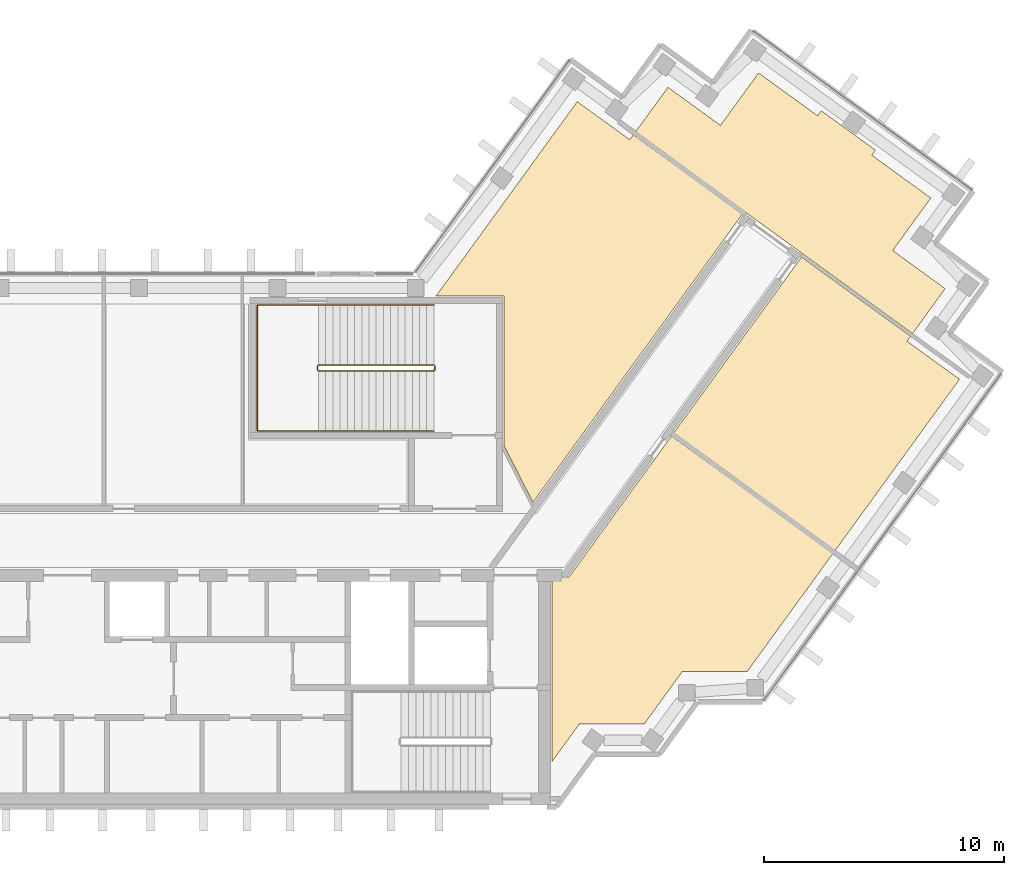
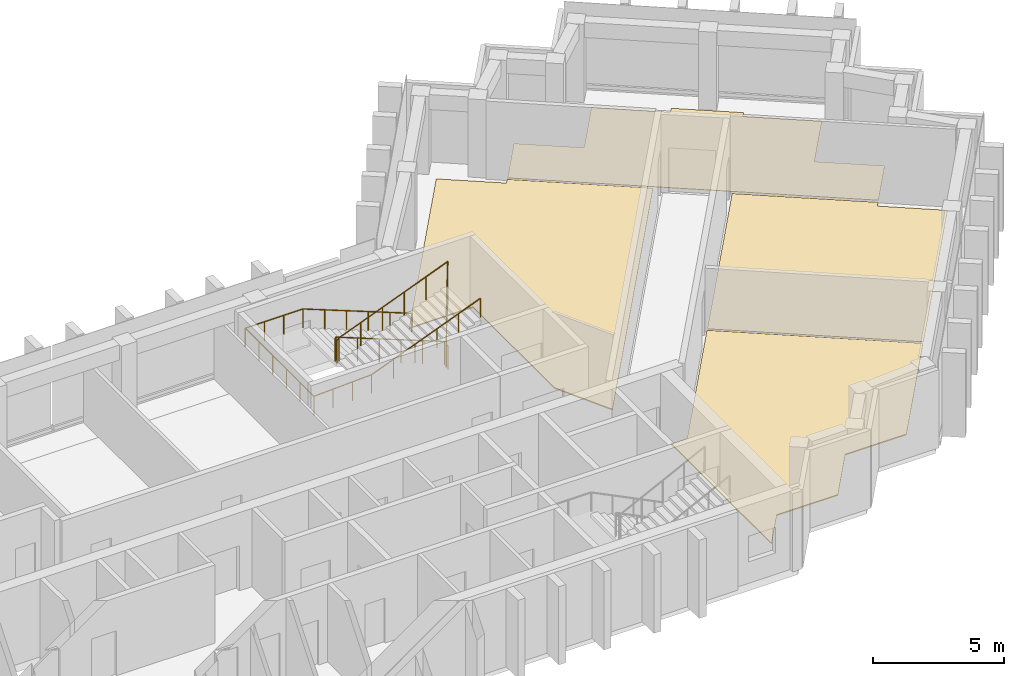
# One storey, part 9 of 9: 4 coverings, 2 railings.
"""IFC4 building model written with IfcOpenShell, lengths in metres."""

from ifc_helpers import new_model, si_unit, direction, frame, origin, origin_2d, place, context, subcontext, project, spatial, polyline, circle, outline, extrude, material, layer, layer_set, type_object, element, save


model = new_model("IFC4")

# Units and contexts
model_context = context("Model", 3, precision=1e-05, world=origin(), true_north=direction((0.0, 1.0)))
body_context = subcontext(model_context, "Body", "Model", "MODEL_VIEW")
ifc_project = project(units=[si_unit("LENGTHUNIT", "METRE"), si_unit("AREAUNIT", "SQUARE_METRE"), si_unit("VOLUMEUNIT", "CUBIC_METRE"), si_unit("PLANEANGLEUNIT", "RADIAN"), si_unit("MASSUNIT", "GRAM", prefix="KILO")], contexts=[model_context])

# Site, building, storey
site_placement = place(None, origin())
site = spatial("IfcSite", under=ifc_project, at=site_placement, CompositionType="ELEMENT")
building_placement = place(site_placement, origin())
building = spatial("IfcBuilding", under=site, at=building_placement, Name="Quipu Civic Tower", CompositionType="ELEMENT")
storey_placement = place(building_placement, frame((0.0, 0.0, 331.0)))
storey = spatial("IfcBuildingStorey", under=building, at=storey_placement, Name="L77", CompositionType="ELEMENT", Elevation=331.0)

# Coverings
ifc_material_1 = material(Name="Carpet tile on raised access floor")
ifc_layer_1 = layer(ifc_material_1, 0.02001953125)
ifc_layer_set_1 = layer_set([ifc_layer_1], Name="Carpet tile on raised access floor")
covering_type_1 = type_object("IfcCoveringType", Name="Carpet tile floor finish 20", PredefinedType="FLOORING", material=ifc_layer_set_1)
covering_1_placement = place(storey_placement, origin())
element("IfcCovering", 1, at=covering_1_placement, inside=storey, type_object=covering_type_1, Name="Carpet tile floor finish 20", PredefinedType="FLOORING", context=body_context, shape_type="SweptSolid", body=[
    extrude(outline(polyline([(23.531005859375, 16.989013671875), (24.888916015625, 18.85791015625), (27.073974609375, 17.27197265625), (28.658935546875, 19.455078125), (31.116943359375, 17.6708984375), (31.27099609375, 17.8798828125), (33.52197265625, 16.2451171875), (33.3701171875, 16.032958984375), (35.826904296875, 14.248046875), (34.240966796875, 12.06396484375), (36.425048828125, 10.47705078125), (35.068115234375, 8.60791015625), (23.531005859375, 16.989013671875)])), origin(), (0.0, 0.0, 1.0), 0.02001953125),
])
covering_2_placement = place(storey_placement, origin())
element("IfcCovering", 2, at=covering_2_placement, inside=storey, type_object=covering_type_1, Name="Carpet tile floor finish 20", PredefinedType="FLOORING", context=body_context, shape_type="SweptSolid", body=[
    extrude(outline(polyline([(25.117919921875, 4.4580078125), (30.446044921875, 11.7919921875), (34.985107421875, 8.493896484375), (34.839111328125, 8.291015625), (37.02197265625, 6.7060546875), (31.841064453125, -0.426025390625), (25.117919921875, 4.4580078125)])), origin(), (0.0, 0.0, 1.0), 0.02001953125),
])
ifc_material_2 = material(Name="Sealed cement screed")
ifc_layer_2 = layer(ifc_material_2, 0.050048828125)
ifc_layer_set_2 = layer_set([ifc_layer_2], Name="Sealed cement screed")
covering_type_2 = type_object("IfcCoveringType", Name="Sealed screed floor finish 50", PredefinedType="FLOORING", material=ifc_layer_set_2)
covering_3_placement = place(storey_placement, origin())
element("IfcCovering", 3, at=covering_3_placement, inside=storey, type_object=covering_type_2, Name="Sealed screed floor finish 50", PredefinedType="FLOORING", context=body_context, shape_type="SweptSolid", body=[
    extrude(outline(polyline([(15.238037109375, 10.169921875), (21.115966796875, 18.260986328125), (23.299072265625, 16.676025390625), (23.447998046875, 16.876953125), (27.987060546875, 13.5791015625), (19.27197265625, 1.583984375), (18.070068359375, 3.94189453125), (18.070068359375, 10.1689453125), (15.238037109375, 10.169921875)])), origin(), (0.0, 0.0, 1.0), 0.050048828125),
])
covering_4_placement = place(storey_placement, origin())
element("IfcCovering", 4, at=covering_4_placement, inside=storey, type_object=covering_type_2, Name="Sealed screed floor finish 50", PredefinedType="FLOORING", context=body_context, shape_type="SweptSolid", body=[
    extrude(outline(polyline([(20.070068359375, -9.195068359375), (20.070068359375, -1.52001953125), (20.77490234375, -1.51904296875), (25.034912109375, 4.344970703125), (31.758056640625, -0.5390625), (28.181884765625, -5.4609375), (25.48193359375, -5.4619140625), (23.89501953125, -7.64599609375), (21.196044921875, -7.64599609375), (20.070068359375, -9.195068359375)])), origin(), (0.0, 0.0, 1.0), 0.050048828125),
])

# Railings
ifc_material_3 = material(Name="Stainless steel", Category="steel")
railing_type_1 = type_object("IfcRailingType", Name="Stair guard 1100", PredefinedType="GUARDRAIL", material=ifc_material_3)
railing_1_placement = place(storey_placement, frame((15.14990234375, 7.300048828125, 0.11767578125)))
element("IfcRailing", 5, at=railing_1_placement, inside=storey, type_object=railing_type_1, Name="Stair 4 guard", PredefinedType="GUARDRAIL", context=body_context, shape_type="SweptSolid", body=[
    extrude(circle(Radius=0.02392578125, at=origin_2d()), frame((0.0, 0.0, 1.076171875), z_axis=(-0.930970042603, 0.0, 0.365095576219), x_axis=(0.0, -1.0, 0.0)), (0.0, 0.0, 1.0), 5.15576171875),
    extrude(circle(Radius=0.02392578125, at=origin_2d()), frame((-4.7998046875, 0.0, 2.95849609375), z_axis=(-0.707106781187, -0.707106781187, 0.0), x_axis=(0.707106781187, -0.707106781187, 0.0)), (0.0, 0.0, 1.0), 0.07080078125),
    extrude(circle(Radius=0.02392578125, at=origin_2d()), frame((-4.849853515625, -0.050048828125, 2.95849609375), z_axis=(0.0, -1.0, 0.0), x_axis=(1.0, 0.0, 0.0)), (0.0, 0.0, 1.0), 0.14990234375),
    extrude(circle(Radius=0.02392578125, at=origin_2d()), frame((-4.849853515625, -0.199951171875, 2.95849609375), z_axis=(0.364463019033, -0.364463019033, 0.856932561824), x_axis=(0.707106781187, 0.707106781187, 0.0)), (0.0, 0.0, 1.0), 0.13720703125),
    extrude(circle(Radius=0.02392578125, at=origin_2d()), frame((-4.7998046875, -0.25, 3.076171875), z_axis=(0.930970042603, 0.0, 0.365095576219), x_axis=(0.0, 1.0, 0.0)), (0.0, 0.0, 1.0), 5.15576171875),
    extrude(circle(Radius=0.02392578125, at=origin_2d()), frame((0.0, -0.25, 4.95849609375), z_axis=(0.012495627992, 0.049921557685, -0.998674970829), x_axis=(-0.970072785993, 0.242814311512, 0.0)), (0.0, 0.0, 1.0), 4.00537109375),
    extrude(circle(Radius=0.02392578125, at=origin_2d()), frame((0.050048828125, -0.050048828125, 0.95849609375), z_axis=(0.0, -1.0, 0.0), x_axis=(1.0, 0.0, 0.0)), (0.0, 0.0, 1.0), 0.14990234375),
    extrude(circle(Radius=0.02099609375, at=origin_2d()), origin(), (0.0, 0.0, 1.0), 1.052001953125),
    extrude(circle(Radius=0.02099609375, at=origin_2d()), frame((-0.9599609375, 0.0, 0.37646484375)), (0.0, 0.0, 1.0), 1.052001953125),
    extrude(circle(Radius=0.02099609375, at=origin_2d()), frame((-1.919921875, 0.0, 0.7529296875)), (0.0, 0.0, 1.0), 1.052001953125),
    extrude(circle(Radius=0.02099609375, at=origin_2d()), frame((-2.8798828125, 0.0, 1.12939453125)), (0.0, 0.0, 1.0), 1.052001953125),
    extrude(circle(Radius=0.02099609375, at=origin_2d()), frame((-3.83984375, 0.0, 1.505859375)), (0.0, 0.0, 1.0), 1.052001953125),
    extrude(circle(Radius=0.02099609375, at=origin_2d()), frame((-4.7998046875, 0.0, 1.88232421875)), (0.0, 0.0, 1.0), 1.052001953125),
    extrude(circle(Radius=0.02099609375, at=origin_2d()), frame((-4.849853515625, -0.050048828125, 1.88232421875)), (0.0, 0.0, 1.0), 1.052001953125),
    extrude(circle(Radius=0.02099609375, at=origin_2d()), frame((-4.849853515625, -0.199951171875, 1.88232421875)), (0.0, 0.0, 1.0), 1.052001953125),
    extrude(circle(Radius=0.02099609375, at=origin_2d()), frame((-4.7998046875, -0.25, 2.0)), (0.0, 0.0, 1.0), 1.052001953125),
    extrude(circle(Radius=0.02099609375, at=origin_2d()), frame((-3.83984375, -0.25, 2.37646484375)), (0.0, 0.0, 1.0), 1.052001953125),
    extrude(circle(Radius=0.02099609375, at=origin_2d()), frame((-2.8798828125, -0.25, 2.7529296875)), (0.0, 0.0, 1.0), 1.052001953125),
    extrude(circle(Radius=0.02099609375, at=origin_2d()), frame((-1.919921875, -0.25, 3.12939453125)), (0.0, 0.0, 1.0), 1.052001953125),
    extrude(circle(Radius=0.02099609375, at=origin_2d()), frame((-0.9599609375, -0.25, 3.505859375)), (0.0, 0.0, 1.0), 1.052001953125),
    extrude(circle(Radius=0.02099609375, at=origin_2d()), frame((0.0, -0.25, 3.88232421875)), (0.0, 0.0, 1.0), 1.052001953125),
    extrude(circle(Radius=0.02099609375, at=origin_2d()), frame((0.012451171875, -0.199951171875, 2.88232421875)), (0.0, 0.0, 1.0), 1.052001953125),
    extrude(circle(Radius=0.02099609375, at=origin_2d()), frame((0.02490234375, -0.14990234375, 1.88232421875)), (0.0, 0.0, 1.0), 1.052001953125),
    extrude(circle(Radius=0.02099609375, at=origin_2d()), frame((0.03759765625, -0.10009765625, 0.88232421875)), (0.0, 0.0, 1.0), 1.052001953125),
    extrude(circle(Radius=0.02099609375, at=origin_2d()), frame((0.050048828125, -0.050048828125, -0.11767578125)), (0.0, 0.0, 1.0), 1.052001953125),
    extrude(circle(Radius=0.02099609375, at=origin_2d()), frame((0.050048828125, -0.199951171875, -0.11767578125)), (0.0, 0.0, 1.0), 1.052001953125),
])
ifc_material_4 = material(Name="Stainless steel", Category="steel")
railing_type_2 = type_object("IfcRailingType", Name="Stair handrail", PredefinedType="HANDRAIL", material=ifc_material_4)
railing_2_placement = place(storey_placement, frame((15.14990234375, 9.800048828125, 0.11767578125)))
element("IfcRailing", 6, at=railing_2_placement, inside=storey, type_object=railing_type_2, Name="Stair 4 handrail", PredefinedType="HANDRAIL", context=body_context, shape_type="SweptSolid", body=[
    extrude(circle(Radius=0.02392578125, at=origin_2d()), frame((0.0, 0.0, 0.8759765625), z_axis=(-0.930970042603, 0.0, 0.365095576219), x_axis=(0.0, -1.0, 0.0)), (0.0, 0.0, 1.0), 5.15576171875),
    extrude(circle(Radius=0.02392578125, at=origin_2d()), frame((-4.7998046875, 0.0, 2.75830078125), z_axis=(-1.0, 0.0, 0.0), x_axis=(0.0, -1.0, 0.0)), (0.0, 0.0, 1.0), 2.550048828125),
    extrude(circle(Radius=0.02392578125, at=origin_2d()), frame((-7.349853515625, 0.0, 2.75830078125), z_axis=(0.0, -1.0, 0.0), x_axis=(1.0, 0.0, 0.0)), (0.0, 0.0, 1.0), 5.25),
    extrude(circle(Radius=0.02392578125, at=origin_2d()), frame((-7.349853515625, -5.25, 2.75830078125), z_axis=(0.998936948642, 0.0, 0.04609742549), x_axis=(0.0, 1.0, 0.0)), (0.0, 0.0, 1.0), 2.552734375),
    extrude(circle(Radius=0.02392578125, at=origin_2d()), frame((-4.7998046875, -5.25, 2.8759765625), z_axis=(0.930970042603, 0.0, 0.365095576219), x_axis=(0.0, 1.0, 0.0)), (0.0, 0.0, 1.0), 5.15576171875),
    extrude(circle(Radius=0.02099609375, at=origin_2d()), origin(), (0.0, 0.0, 1.0), 0.851806640625),
    extrude(circle(Radius=0.02099609375, at=origin_2d()), frame((-0.9599609375, 0.0, 0.37646484375)), (0.0, 0.0, 1.0), 0.851806640625),
    extrude(circle(Radius=0.02099609375, at=origin_2d()), frame((-1.919921875, 0.0, 0.7529296875)), (0.0, 0.0, 1.0), 0.851806640625),
    extrude(circle(Radius=0.02099609375, at=origin_2d()), frame((-2.8798828125, 0.0, 1.12939453125)), (0.0, 0.0, 1.0), 0.851806640625),
    extrude(circle(Radius=0.02099609375, at=origin_2d()), frame((-3.83984375, 0.0, 1.505859375)), (0.0, 0.0, 1.0), 0.851806640625),
    extrude(circle(Radius=0.02099609375, at=origin_2d()), frame((-4.7998046875, 0.0, 1.88232421875)), (0.0, 0.0, 1.0), 0.851806640625),
    extrude(circle(Radius=0.02099609375, at=origin_2d()), frame((-5.64990234375, 0.0, 1.88232421875)), (0.0, 0.0, 1.0), 0.851806640625),
    extrude(circle(Radius=0.02099609375, at=origin_2d()), frame((-6.499755859375, 0.0, 1.88232421875)), (0.0, 0.0, 1.0), 0.851806640625),
    extrude(circle(Radius=0.02099609375, at=origin_2d()), frame((-7.349853515625, 0.0, 1.88232421875)), (0.0, 0.0, 1.0), 0.851806640625),
    extrude(circle(Radius=0.02099609375, at=origin_2d()), frame((-7.349853515625, -1.050048828125, 1.88232421875)), (0.0, 0.0, 1.0), 0.851806640625),
    extrude(circle(Radius=0.02099609375, at=origin_2d()), frame((-7.349853515625, -2.10009765625, 1.88232421875)), (0.0, 0.0, 1.0), 0.851806640625),
    extrude(circle(Radius=0.02099609375, at=origin_2d()), frame((-7.349853515625, -3.14990234375, 1.88232421875)), (0.0, 0.0, 1.0), 0.851806640625),
    extrude(circle(Radius=0.02099609375, at=origin_2d()), frame((-7.349853515625, -4.199951171875, 1.88232421875)), (0.0, 0.0, 1.0), 0.851806640625),
    extrude(circle(Radius=0.02099609375, at=origin_2d()), frame((-7.349853515625, -5.25, 1.88232421875)), (0.0, 0.0, 1.0), 0.851806640625),
    extrude(circle(Radius=0.02099609375, at=origin_2d()), frame((-6.499755859375, -5.25, 1.921630859375)), (0.0, 0.0, 1.0), 0.851806640625),
    extrude(circle(Radius=0.02099609375, at=origin_2d()), frame((-5.64990234375, -5.25, 1.960693359375)), (0.0, 0.0, 1.0), 0.851806640625),
    extrude(circle(Radius=0.02099609375, at=origin_2d()), frame((-4.7998046875, -5.25, 2.0)), (0.0, 0.0, 1.0), 0.851806640625),
    extrude(circle(Radius=0.02099609375, at=origin_2d()), frame((-3.83984375, -5.25, 2.37646484375)), (0.0, 0.0, 1.0), 0.851806640625),
    extrude(circle(Radius=0.02099609375, at=origin_2d()), frame((-2.8798828125, -5.25, 2.7529296875)), (0.0, 0.0, 1.0), 0.851806640625),
    extrude(circle(Radius=0.02099609375, at=origin_2d()), frame((-1.919921875, -5.25, 3.12939453125)), (0.0, 0.0, 1.0), 0.851806640625),
    extrude(circle(Radius=0.02099609375, at=origin_2d()), frame((-0.9599609375, -5.25, 3.505859375)), (0.0, 0.0, 1.0), 0.851806640625),
    extrude(circle(Radius=0.02099609375, at=origin_2d()), frame((0.0, -5.25, 3.88232421875)), (0.0, 0.0, 1.0), 0.851806640625),
])

save(model, "model.ifc")
